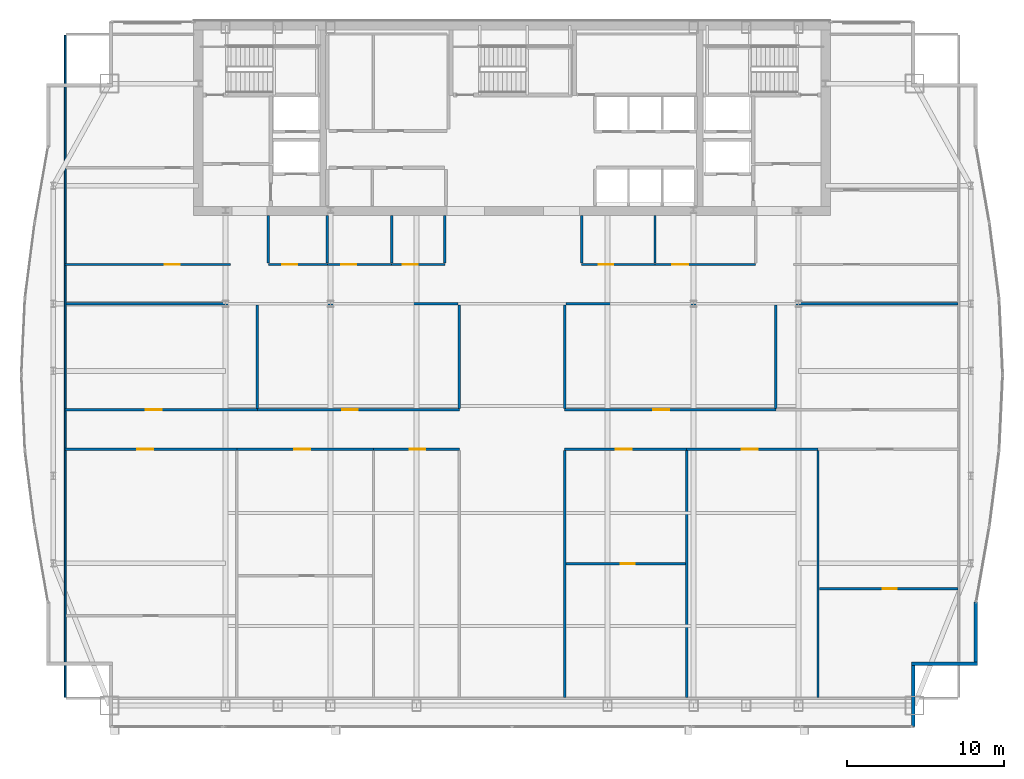
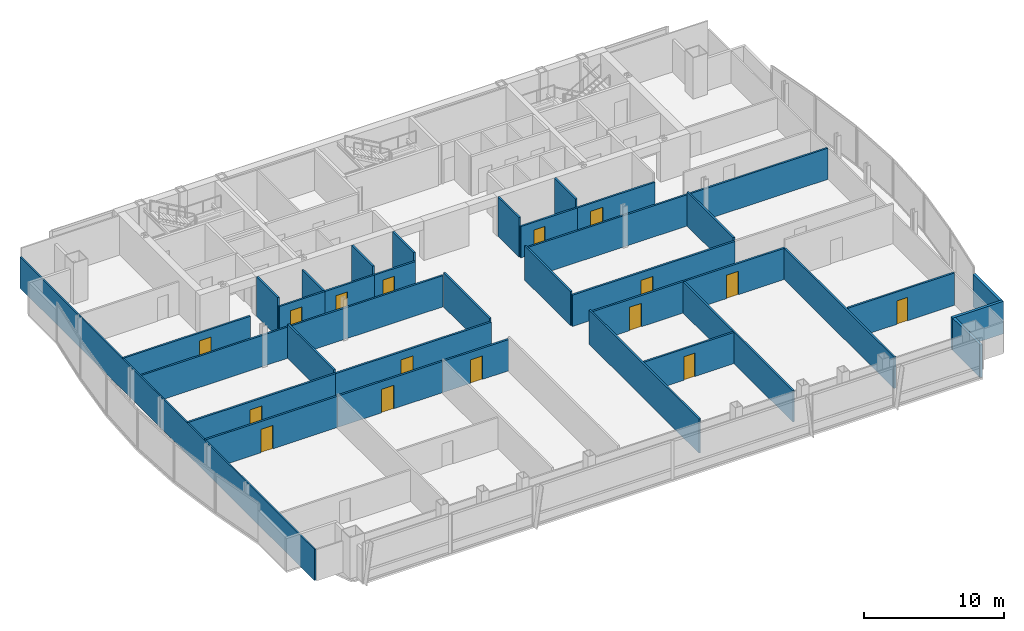
# One storey, part 25 of 30: 35 walls, 16 doors, 16 openings.
"""IFC4 building model written with IfcOpenShell, lengths in metres."""

from ifc_helpers import new_model, si_unit, direction, frame, frame_2d, origin, place, context, subcontext, project, spatial, rectangle, extrude, material, layer, layer_set, type_object, element, fill, save


model = new_model("IFC4")

# Units and contexts
model_context = context("Model", 3, precision=1e-05, world=origin(), true_north=direction((0.0, 1.0)))
body_context = subcontext(model_context, "Body", "Model", "MODEL_VIEW")
ifc_project = project(units=[si_unit("LENGTHUNIT", "METRE"), si_unit("AREAUNIT", "SQUARE_METRE"), si_unit("VOLUMEUNIT", "CUBIC_METRE"), si_unit("PLANEANGLEUNIT", "RADIAN"), si_unit("MASSUNIT", "GRAM", prefix="KILO")], contexts=[model_context])

# Site, building, storey
site_placement = place(None, origin())
site = spatial("IfcSite", under=ifc_project, at=site_placement, CompositionType="ELEMENT")
building_placement = place(site_placement, origin())
building = spatial("IfcBuilding", under=site, at=building_placement, Name="Khoronbel Lancet Exchange", CompositionType="ELEMENT")
storey_placement = place(building_placement, frame((0.0, 0.0, 203.0)))
storey = spatial("IfcBuildingStorey", under=building, at=storey_placement, Name="L51", CompositionType="ELEMENT", Elevation=203.0)

# Walls
ifc_material_1 = material(Name="Precast concrete C40/50", Category="concrete")
ifc_layer_1 = layer(ifc_material_1, 0.25, Name="Precast concrete C40/50")
ifc_layer_set_1 = layer_set([ifc_layer_1], Name="Precast concrete C40/50")
wall_type_1 = type_object("IfcWallType", Name="WL-EXT250", PredefinedType="SOLIDWALL", material=ifc_layer_set_1)
wall_1_placement = place(storey_placement, frame((65.9599609375, 16.727783203125, 0.0), z_axis=(0.0, 0.0, 1.0), x_axis=(0.0, -1.0, 0.0)))
element("IfcWall", 1, at=wall_1_placement, inside=storey, type_object=wall_type_1, Name="Level L51 notched-corner limestone pier 23", PredefinedType="SOLIDWALL", context=body_context, shape_type="SweptSolid", body=[
    extrude(rectangle(XDim=3.827880859375, YDim=0.219970703125, at=frame_2d((1.9140625, 0.0))), origin(), (0.0, 0.0, 1.0), 2.830078125),
])
wall_2_placement = place(storey_placement, frame((66.070068359375, 12.7900390625, 0.0), z_axis=(0.0, 0.0, 1.0), x_axis=(-1.0, 0.0, 0.0)))
element("IfcWall", 2, at=wall_2_placement, inside=storey, type_object=wall_type_1, Name="Level L51 notched-corner limestone pier 24", PredefinedType="SOLIDWALL", context=body_context, shape_type="SweptSolid", body=[
    extrude(rectangle(XDim=4.219970703125, YDim=0.219970703125, at=frame_2d((2.10986328125, 0.0))), origin(), (0.0, 0.0, 1.0), 2.830078125),
])
wall_3_placement = place(storey_placement, frame((61.9599609375, 12.679931640625, 0.0), z_axis=(0.0, 0.0, 1.0), x_axis=(0.0, -1.0, 0.0)))
element("IfcWall", 3, at=wall_3_placement, inside=storey, type_object=wall_type_1, Name="Level L51 notched-corner limestone pier 25", PredefinedType="SOLIDWALL", context=body_context, shape_type="SweptSolid", body=[
    extrude(rectangle(XDim=3.909912109375, YDim=0.219970703125, at=frame_2d((1.955078125, 0.0))), origin(), (0.0, 0.0, 1.0), 2.830078125),
])
ifc_material_2 = material(Name="Acoustic Metal-Stud & Mineral-Wool Gypsum Partition 120 mm", Category="gypsum")
ifc_layer_2 = layer(ifc_material_2, 0.1201171875, Name="Acoustic Metal-Stud & Mineral-Wool Gypsum Partition 120 mm")
ifc_layer_set_2 = layer_set([ifc_layer_2], Name="Acoustic Metal-Stud & Mineral-Wool Gypsum Partition 120 mm")
wall_type_2 = type_object("IfcWallType", Name="WL-PRT120", PredefinedType="PARTITIONING", material=ifc_layer_set_2)
wall_4_placement = place(storey_placement, frame((20.949951171875, 38.280029296875, 0.0), z_axis=(0.0, 0.0, 1.0), x_axis=(0.0, 1.0, 0.0)))
element("IfcWall", 4, at=wall_4_placement, inside=storey, type_object=wall_type_2, Name="Level L51 interior partition PW-WC-0", PredefinedType="PARTITIONING", context=body_context, shape_type="SweptSolid", body=[
    extrude(rectangle(XDim=3.02001953125, YDim=0.14990234375, at=frame_2d((1.510009765625, 0.0))), origin(), (0.0, 0.0, 1.0), 3.43994140625),
])
wall_5_placement = place(storey_placement, frame((24.699951171875, 38.280029296875, 0.0), z_axis=(0.0, 0.0, 1.0), x_axis=(0.0, 1.0, 0.0)))
element("IfcWall", 5, at=wall_5_placement, inside=storey, type_object=wall_type_2, Name="Level L51 interior partition PW-WC-1", PredefinedType="PARTITIONING", context=body_context, shape_type="SweptSolid", body=[
    extrude(rectangle(XDim=3.02001953125, YDim=0.14990234375, at=frame_2d((1.510009765625, 0.0))), origin(), (0.0, 0.0, 1.0), 2.72998046875),
])
for number, where, z_axis, x_axis, name in (
    (6, (28.800048828125, 38.280029296875, 0.0), (0.0, 0.0, 1.0), (0.0, 1.0, 0.0), "Level L51 interior partition PW-WC-2"),
    (7, (32.179931640625, 38.280029296875, 0.0), (0.0, 0.0, 1.0), (0.0, 1.0, 0.0), "Level L51 interior partition PW-WC-3"),
    (8, (40.8798828125, 38.280029296875, 0.0), (0.0, 0.0, 1.0), (0.0, 1.0, 0.0), "Level L51 interior partition PW-NP-0"),
    (9, (45.550048828125, 38.280029296875, 0.0), (0.0, 0.0, 1.0), (0.0, 1.0, 0.0), "Level L51 interior partition PW-NP-M"),
):
    element("IfcWall", number, at=place(storey_placement, frame(where, z_axis=z_axis, x_axis=x_axis)), inside=storey, type_object=wall_type_2, Name=name, PredefinedType="PARTITIONING", context=body_context, shape_type="SweptSolid", body=[
        extrude(rectangle(XDim=3.02001953125, YDim=0.14990234375, at=frame_2d((1.510009765625, 0.0))), origin(), (0.0, 0.0, 1.0), 3.43994140625),
    ])

# Wall, opening, door
wall_6_placement = place(storey_placement, frame((39.8798828125, 19.158935546875, 0.0), z_axis=(0.0, 0.0, 1.0), x_axis=(1.0, 0.0, 0.0)))
wall_6 = element("IfcWall", 10, at=wall_6_placement, inside=storey, type_object=wall_type_2, Name="Level L51 interior partition PW-Z3SE-H1", PredefinedType="PARTITIONING", context=body_context, shape_type="SweptSolid", body=[
    extrude(rectangle(XDim=7.599853515625, YDim=0.14990234375, at=frame_2d((3.7998046875, 0.0))), origin(), (0.0, 0.0, 1.0), 2.72998046875),
])
opening_1_placement = place(wall_6_placement, frame((3.491943359375, 0.0, 0.0)))
opening_1 = element("IfcOpeningElement", 11, at=opening_1_placement, cuts=wall_6, Name="Opening D5", PredefinedType="OPENING", context=body_context, shape_type="SweptSolid", body=[
    extrude(rectangle(XDim=0.89990234375, YDim=2.050048828125, at=frame_2d((0.449951171875, 1.02490234375))), frame((0.0, 0.0849609375, 0.0), z_axis=(0.0, -1.0, 0.0), x_axis=(1.0, 0.0, 0.0)), (0.0, 0.0, 1.0), 0.169921875),
])
ifc_material_3 = material(Name="Acoustic Timber Pantry & Support Door", Category="wood")
door_type_1 = type_object("IfcDoorType", Name="DR-D5", OperationType="NOTDEFINED", PredefinedType="DOOR", material=ifc_material_3)
door_1_placement = place(opening_1_placement, origin())
door_1 = element("IfcDoor", 12, at=door_1_placement, inside=storey, type_object=door_type_1, Name="Z3SE inner door 1 L51-1", OperationType="SINGLE_SWING_LEFT", OverallHeight=2.050048828125, OverallWidth=0.89990234375, PredefinedType="DOOR", context=body_context, shape_type="SweptSolid", body=[
    extrude(rectangle(XDim=0.89990234375, YDim=2.050048828125, at=frame_2d((0.449951171875, 1.02490234375))), frame((0.0, 0.02490234375, 0.0), z_axis=(0.0, -1.0, 0.0), x_axis=(1.0, 0.0, 0.0)), (0.0, 0.0, 1.0), 0.050048828125),
])
fill(opening_1, door_1)

wall_7_placement = place(storey_placement, frame((55.996337890625, 17.573974609375, 0.0), z_axis=(0.0, 0.0, 1.0), x_axis=(1.0, 0.0, 0.0)))
wall_7 = element("IfcWall", 13, at=wall_7_placement, inside=storey, type_object=wall_type_2, Name="Level L51 interior partition PW-Z3SE-H3", PredefinedType="PARTITIONING", context=body_context, shape_type="SweptSolid", body=[
    extrude(rectangle(XDim=8.80859375, YDim=0.14990234375, at=frame_2d((4.404296875, 0.0))), origin(), (0.0, 0.0, 1.0), 2.830078125),
])
opening_2_placement = place(wall_7_placement, frame((4.029052734375, 0.0, 0.0)))
opening_2 = element("IfcOpeningElement", 14, at=opening_2_placement, cuts=wall_7, Name="Opening D5", PredefinedType="OPENING", context=body_context, shape_type="SweptSolid", body=[
    extrude(rectangle(XDim=0.89990234375, YDim=2.050048828125, at=frame_2d((0.449951171875, 1.02490234375))), frame((0.0, 0.0849609375, 0.0), z_axis=(0.0, -1.0, 0.0), x_axis=(1.0, 0.0, 0.0)), (0.0, 0.0, 1.0), 0.169921875),
])
door_2_placement = place(opening_2_placement, origin())
door_2 = element("IfcDoor", 15, at=door_2_placement, inside=storey, type_object=door_type_1, Name="Z3SE inner door 3 L51-1", OperationType="SINGLE_SWING_RIGHT", OverallHeight=2.050048828125, OverallWidth=0.89990234375, PredefinedType="DOOR", context=body_context, shape_type="SweptSolid", body=[
    extrude(rectangle(XDim=0.89990234375, YDim=2.050048828125, at=frame_2d((0.449951171875, 1.02490234375))), frame((0.0, 0.02490234375, 0.0), z_axis=(0.0, -1.0, 0.0), x_axis=(1.0, 0.0, 0.0)), (0.0, 0.0, 1.0), 0.050048828125),
])
fill(opening_2, door_2)

# Wall
wall_8_placement = place(storey_placement, frame((8.030029296875, 10.6650390625, 0.0), z_axis=(0.0, 0.0, 1.0), x_axis=(0.0, 1.0, 0.0)))
element("IfcWall", 16, at=wall_8_placement, inside=storey, type_object=wall_type_2, Name="Level L51 interior partition PW-LIN-W", PredefinedType="PARTITIONING", context=body_context, shape_type="SweptSolid", body=[
    extrude(rectangle(XDim=42.10986328125, YDim=0.1201171875, at=frame_2d((21.054931640625, 0.0))), origin(), (0.0, 0.0, 1.0), 2.72998046875),
])

# Wall, opening, door
ifc_material_4 = material(Name="Fire-Rated Twin-Stud Acoustic Gypsum Partition 150 mm", Category="gypsum")
ifc_layer_3 = layer(ifc_material_4, 0.14990234375, Name="Fire-Rated Twin-Stud Acoustic Gypsum Partition 150 mm")
ifc_layer_set_3 = layer_set([ifc_layer_3], Name="Fire-Rated Twin-Stud Acoustic Gypsum Partition 150 mm")
wall_type_3 = type_object("IfcWallType", Name="WL-PRT150C", PredefinedType="PARTITIONING", material=ifc_layer_set_3)
wall_9_placement = place(storey_placement, frame((20.949951171875, 38.199951171875, 0.0), z_axis=(0.0, 0.0, 1.0), x_axis=(1.0, 0.0, 0.0)))
wall_9 = element("IfcWall", 17, at=wall_9_placement, inside=storey, type_object=wall_type_3, Name="Level L51 interior partition PW-WC-S1", PredefinedType="PARTITIONING", context=body_context, shape_type="SweptSolid", body=[
    extrude(rectangle(XDim=3.75, YDim=0.14990234375, at=frame_2d((1.875, 0.0))), origin(), (0.0, 0.0, 1.0), 2.72998046875),
])
opening_3_placement = place(wall_9_placement, frame((0.89990234375, 0.0, 0.0)))
opening_3 = element("IfcOpeningElement", 18, at=opening_3_placement, cuts=wall_9, Name="Opening D4", PredefinedType="OPENING", context=body_context, shape_type="SweptSolid", body=[
    extrude(rectangle(XDim=0.949951171875, YDim=2.050048828125, at=frame_2d((0.47509765625, 1.02490234375))), frame((0.0, 0.0849609375, 0.0), z_axis=(0.0, -1.0, 0.0), x_axis=(1.0, 0.0, 0.0)), (0.0, 0.0, 1.0), 0.169921875),
])
ifc_material_5 = material(Name="Moisture-Resistant HPL Washroom Door", Category="wood")
door_type_2 = type_object("IfcDoorType", Name="DR-D4", OperationType="NOTDEFINED", PredefinedType="DOOR", material=ifc_material_5)
door_3_placement = place(opening_3_placement, origin())
door_3 = element("IfcDoor", 19, at=door_3_placement, inside=storey, type_object=door_type_2, Name="Male washroom door L51-1", OperationType="SINGLE_SWING_RIGHT", OverallHeight=2.050048828125, OverallWidth=0.949951171875, PredefinedType="DOOR", context=body_context, shape_type="SweptSolid", body=[
    extrude(rectangle(XDim=0.949951171875, YDim=2.050048828125, at=frame_2d((0.47509765625, 1.02490234375))), frame((0.0, 0.02490234375, 0.0), z_axis=(0.0, -1.0, 0.0), x_axis=(1.0, 0.0, 0.0)), (0.0, 0.0, 1.0), 0.050048828125),
])
fill(opening_3, door_3)

wall_10_placement = place(storey_placement, frame((24.699951171875, 38.199951171875, 0.0), z_axis=(0.0, 0.0, 1.0), x_axis=(1.0, 0.0, 0.0)))
wall_10 = element("IfcWall", 20, at=wall_10_placement, inside=storey, type_object=wall_type_3, Name="Level L51 interior partition PW-WC-S2", PredefinedType="PARTITIONING", context=body_context, shape_type="SweptSolid", body=[
    extrude(rectangle(XDim=4.10009765625, YDim=0.14990234375, at=frame_2d((2.050048828125, 0.0))), origin(), (0.0, 0.0, 1.0), 2.72998046875),
])
opening_4_placement = place(wall_10_placement, frame((0.89990234375, 0.0, 0.0)))
opening_4 = element("IfcOpeningElement", 21, at=opening_4_placement, cuts=wall_10, Name="Opening D4", PredefinedType="OPENING", context=body_context, shape_type="SweptSolid", body=[
    extrude(rectangle(XDim=0.949951171875, YDim=2.050048828125, at=frame_2d((0.47509765625, 1.02490234375))), frame((0.0, 0.0849609375, 0.0), z_axis=(0.0, -1.0, 0.0), x_axis=(1.0, 0.0, 0.0)), (0.0, 0.0, 1.0), 0.169921875),
])
door_4_placement = place(opening_4_placement, origin())
door_4 = element("IfcDoor", 22, at=door_4_placement, inside=storey, type_object=door_type_2, Name="Female washroom door L51-1", OperationType="SINGLE_SWING_LEFT", OverallHeight=2.050048828125, OverallWidth=0.949951171875, PredefinedType="DOOR", context=body_context, shape_type="SweptSolid", body=[
    extrude(rectangle(XDim=0.949951171875, YDim=2.050048828125, at=frame_2d((0.47509765625, 1.02490234375))), frame((0.0, 0.02490234375, 0.0), z_axis=(0.0, -1.0, 0.0), x_axis=(1.0, 0.0, 0.0)), (0.0, 0.0, 1.0), 0.050048828125),
])
fill(opening_4, door_4)

wall_11_placement = place(storey_placement, frame((28.800048828125, 38.199951171875, 0.0), z_axis=(0.0, 0.0, 1.0), x_axis=(1.0, 0.0, 0.0)))
wall_11 = element("IfcWall", 23, at=wall_11_placement, inside=storey, type_object=wall_type_3, Name="Level L51 interior partition PW-WC-S3", PredefinedType="PARTITIONING", context=body_context, shape_type="SweptSolid", body=[
    extrude(rectangle(XDim=3.3798828125, YDim=0.14990234375, at=frame_2d((1.68994140625, 0.0))), origin(), (0.0, 0.0, 1.0), 2.72998046875),
])
opening_5_placement = place(wall_11_placement, frame((0.699951171875, 0.0, 0.0)))
opening_5 = element("IfcOpeningElement", 24, at=opening_5_placement, cuts=wall_11, Name="Opening D4", PredefinedType="OPENING", context=body_context, shape_type="SweptSolid", body=[
    extrude(rectangle(XDim=0.949951171875, YDim=2.050048828125, at=frame_2d((0.47509765625, 1.02490234375))), frame((0.0, 0.0849609375, 0.0), z_axis=(0.0, -1.0, 0.0), x_axis=(1.0, 0.0, 0.0)), (0.0, 0.0, 1.0), 0.169921875),
])
door_5_placement = place(opening_5_placement, origin())
door_5 = element("IfcDoor", 25, at=door_5_placement, inside=storey, type_object=door_type_2, Name="Accessible WC door L51-1", OperationType="SINGLE_SWING_RIGHT", OverallHeight=2.050048828125, OverallWidth=0.949951171875, PredefinedType="DOOR", context=body_context, shape_type="SweptSolid", body=[
    extrude(rectangle(XDim=0.949951171875, YDim=2.050048828125, at=frame_2d((0.47509765625, 1.02490234375))), frame((0.0, 0.02490234375, 0.0), z_axis=(0.0, -1.0, 0.0), x_axis=(1.0, 0.0, 0.0)), (0.0, 0.0, 1.0), 0.050048828125),
])
fill(opening_5, door_5)

wall_12_placement = place(storey_placement, frame((40.8798828125, 38.199951171875, 0.0), z_axis=(0.0, 0.0, 1.0), x_axis=(1.0, 0.0, 0.0)))
wall_12 = element("IfcWall", 26, at=wall_12_placement, inside=storey, type_object=wall_type_3, Name="Level L51 interior partition PW-NP-S1", PredefinedType="PARTITIONING", context=body_context, shape_type="SweptSolid", body=[
    extrude(rectangle(XDim=4.670166015625, YDim=0.14990234375, at=frame_2d((2.3349609375, 0.0))), origin(), (0.0, 0.0, 1.0), 2.72998046875),
])
opening_6_placement = place(wall_12_placement, frame((1.10009765625, 0.0, 0.0)))
opening_6 = element("IfcOpeningElement", 27, at=opening_6_placement, cuts=wall_12, Name="Opening D5", PredefinedType="OPENING", context=body_context, shape_type="SweptSolid", body=[
    extrude(rectangle(XDim=0.89990234375, YDim=2.050048828125, at=frame_2d((0.449951171875, 1.02490234375))), frame((0.0, 0.0849609375, 0.0), z_axis=(0.0, -1.0, 0.0), x_axis=(1.0, 0.0, 0.0)), (0.0, 0.0, 1.0), 0.169921875),
])
door_6_placement = place(opening_6_placement, origin())
door_6 = element("IfcDoor", 28, at=door_6_placement, inside=storey, type_object=door_type_1, Name="Floor refreshment pantry door L51-1", OperationType="SINGLE_SWING_LEFT", OverallHeight=2.050048828125, OverallWidth=0.89990234375, PredefinedType="DOOR", context=body_context, shape_type="SweptSolid", body=[
    extrude(rectangle(XDim=0.89990234375, YDim=2.050048828125, at=frame_2d((0.449951171875, 1.02490234375))), frame((0.0, 0.02490234375, 0.0), z_axis=(0.0, -1.0, 0.0), x_axis=(1.0, 0.0, 0.0)), (0.0, 0.0, 1.0), 0.050048828125),
])
fill(opening_6, door_6)

wall_13_placement = place(storey_placement, frame((45.550048828125, 38.199951171875, 0.0), z_axis=(0.0, 0.0, 1.0), x_axis=(1.0, 0.0, 0.0)))
wall_13 = element("IfcWall", 29, at=wall_13_placement, inside=storey, type_object=wall_type_3, Name="Level L51 interior partition PW-NP-S2", PredefinedType="PARTITIONING", context=body_context, shape_type="SweptSolid", body=[
    extrude(rectangle(XDim=6.39990234375, YDim=0.14990234375, at=frame_2d((3.199951171875, 0.0))), origin(), (0.0, 0.0, 1.0), 2.72998046875),
])
opening_7_placement = place(wall_13_placement, frame((1.10009765625, 0.0, 0.0)))
opening_7 = element("IfcOpeningElement", 30, at=opening_7_placement, cuts=wall_13, Name="Opening D2", PredefinedType="OPENING", context=body_context, shape_type="SweptSolid", body=[
    extrude(rectangle(XDim=1.0, YDim=2.050048828125, at=frame_2d((0.5, 1.02490234375))), frame((0.0, 0.0849609375, 0.0), z_axis=(0.0, -1.0, 0.0), x_axis=(1.0, 0.0, 0.0)), (0.0, 0.0, 1.0), 0.169921875),
])
ifc_material_6 = material(Name="Acoustic Veneered Timber & Bronze Frame Door", Category="wood")
door_type_3 = type_object("IfcDoorType", Name="DR-D2", OperationType="NOTDEFINED", PredefinedType="DOOR", material=ifc_material_6)
door_7_placement = place(opening_7_placement, origin())
door_7 = element("IfcDoor", 31, at=door_7_placement, inside=storey, type_object=door_type_3, Name="Floor store door L51-1", OperationType="SINGLE_SWING_RIGHT", OverallHeight=2.050048828125, OverallWidth=1.0, PredefinedType="DOOR", context=body_context, shape_type="SweptSolid", body=[
    extrude(rectangle(XDim=1.0, YDim=2.050048828125, at=frame_2d((0.5, 1.02490234375))), frame((0.0, 0.02490234375, 0.0), z_axis=(0.0, -1.0, 0.0), x_axis=(1.0, 0.0, 0.0)), (0.0, 0.0, 1.0), 0.050048828125),
])
fill(opening_7, door_7)

wall_14_placement = place(storey_placement, frame((8.030029296875, 38.199951171875, 0.0), z_axis=(0.0, 0.0, 1.0), x_axis=(1.0, 0.0, 0.0)))
wall_14 = element("IfcWall", 32, at=wall_14_placement, inside=storey, type_object=wall_type_3, Name="Level L51 interior partition PW-NW-S", PredefinedType="PARTITIONING", context=body_context, shape_type="SweptSolid", body=[
    extrude(rectangle(XDim=10.52001953125, YDim=0.14990234375, at=frame_2d((5.260009765625, 0.0))), origin(), (0.0, 0.0, 1.0), 2.72998046875),
])
opening_8_placement = place(wall_14_placement, frame((6.320068359375, 0.0, 0.0)))
opening_8 = element("IfcOpeningElement", 33, at=opening_8_placement, cuts=wall_14, Name="Opening D1", PredefinedType="OPENING", context=body_context, shape_type="SweptSolid", body=[
    extrude(rectangle(XDim=0.949951171875, YDim=2.050048828125, at=frame_2d((0.47509765625, 1.02490234375))), frame((0.0, 0.0849609375, 0.0), z_axis=(0.0, -1.0, 0.0), x_axis=(1.0, 0.0, 0.0)), (0.0, 0.0, 1.0), 0.169921875),
])
door_type_4 = type_object("IfcDoorType", Name="DR-D1", OperationType="NOTDEFINED", PredefinedType="DOOR", material=ifc_material_6)
door_8_placement = place(opening_8_placement, origin())
door_8 = element("IfcDoor", 34, at=door_8_placement, inside=storey, type_object=door_type_4, Name="NW corner room door L51-1", OperationType="SINGLE_SWING_LEFT", OverallHeight=2.050048828125, OverallWidth=0.949951171875, PredefinedType="DOOR", context=body_context, shape_type="SweptSolid", body=[
    extrude(rectangle(XDim=0.949951171875, YDim=2.050048828125, at=frame_2d((0.47509765625, 1.02490234375))), frame((0.0, 0.02490234375, 0.0), z_axis=(0.0, -1.0, 0.0), x_axis=(1.0, 0.0, 0.0)), (0.0, 0.0, 1.0), 0.050048828125),
])
fill(opening_8, door_8)

# Walls
wall_15_placement = place(storey_placement, frame((39.800048828125, 10.6650390625, 0.0), z_axis=(0.0, 0.0, 1.0), x_axis=(0.0, 1.0, 0.0)))
element("IfcWall", 35, at=wall_15_placement, inside=storey, type_object=wall_type_3, Name="Level L51 interior partition PW-Z3-CE1", PredefinedType="PARTITIONING", context=body_context, shape_type="SweptSolid", body=[
    extrude(rectangle(XDim=15.699951171875, YDim=0.14990234375, at=frame_2d((7.85009765625, 0.0))), origin(), (0.0, 0.0, 1.0), 2.97998046875),
])
for number, where, z_axis, x_axis, name in (
    (36, (33.10009765625, 29.034912109375, 0.0), (0.0, 0.0, 1.0), (0.0, 1.0, 0.0), "Level L51 interior partition PW-Z3-CW2"),
    (37, (39.800048828125, 29.034912109375, 0.0), (0.0, 0.0, 1.0), (0.0, 1.0, 0.0), "Level L51 interior partition PW-Z3-CE2"),
):
    element("IfcWall", number, at=place(storey_placement, frame(where, z_axis=z_axis, x_axis=x_axis)), inside=storey, type_object=wall_type_3, Name=name, PredefinedType="PARTITIONING", context=body_context, shape_type="SweptSolid", body=[
        extrude(rectangle(XDim=6.585205078125, YDim=0.14990234375, at=frame_2d((3.29248046875, 0.0))), origin(), (0.0, 0.0, 1.0), 2.97998046875),
    ])
for number, where, z_axis, x_axis, name in (
    (38, (8.094970703125, 35.699951171875, 0.0), (0.0, 0.0, 1.0), (1.0, 0.0, 0.0), "Level L51 interior partition PW-Z3-WN"),
    (39, (39.8798828125, 35.699951171875, 0.0), (0.0, 0.0, 1.0), (1.0, 0.0, 0.0), "Level L51 interior partition PW-Z3-EN"),
):
    element("IfcWall", number, at=place(storey_placement, frame(where, z_axis=z_axis, x_axis=x_axis)), inside=storey, type_object=wall_type_3, Name=name, PredefinedType="PARTITIONING", context=body_context, shape_type="SweptSolid", body=[
        extrude(rectangle(XDim=24.925048828125, YDim=0.14990234375, at=frame_2d((12.46240234375, 0.0))), origin(), (0.0, 0.0, 1.0), 2.72998046875),
    ])
for number, where, z_axis, x_axis, name in (
    (40, (47.559814453125, 10.6650390625, 0.0), (0.0, 0.0, 1.0), (0.0, 1.0, 0.0), "Level L51 interior partition PW-Z3SE-V1"),
    (41, (55.91650390625, 10.6650390625, 0.0), (0.0, 0.0, 1.0), (0.0, 1.0, 0.0), "Level L51 interior partition PW-Z3SE-V2"),
):
    element("IfcWall", number, at=place(storey_placement, frame(where, z_axis=z_axis, x_axis=x_axis)), inside=storey, type_object=wall_type_3, Name=name, PredefinedType="PARTITIONING", context=body_context, shape_type="SweptSolid", body=[
        extrude(rectangle(XDim=15.699951171875, YDim=0.14990234375, at=frame_2d((7.85009765625, 0.0))), origin(), (0.0, 0.0, 1.0), 2.72998046875),
    ])
for number, where, z_axis, x_axis, name in (
    (42, (20.2470703125, 29.034912109375, 0.0), (0.0, 0.0, 1.0), (0.0, 1.0, 0.0), "Level L51 interior partition PW-Z3NW-V1"),
    (43, (53.23046875, 29.034912109375, 0.0), (0.0, 0.0, 1.0), (0.0, 1.0, 0.0), "Level L51 interior partition PW-Z3NE-V1"),
):
    element("IfcWall", number, at=place(storey_placement, frame(where, z_axis=z_axis, x_axis=x_axis)), inside=storey, type_object=wall_type_3, Name=name, PredefinedType="PARTITIONING", context=body_context, shape_type="SweptSolid", body=[
        extrude(rectangle(XDim=6.585205078125, YDim=0.14990234375, at=frame_2d((3.29248046875, 0.0))), origin(), (0.0, 0.0, 1.0), 2.97998046875),
    ])

# Wall, opening, door
ifc_material_7 = material(Name="Fire-Rated Twin-Stud Acoustic Gypsum Partition 160 mm", Category="gypsum")
ifc_layer_4 = layer(ifc_material_7, 0.159912109375, Name="Fire-Rated Twin-Stud Acoustic Gypsum Partition 160 mm")
ifc_layer_set_4 = layer_set([ifc_layer_4], Name="Fire-Rated Twin-Stud Acoustic Gypsum Partition 160 mm")
wall_type_4 = type_object("IfcWallType", Name="WL-PRT160C", PredefinedType="PARTITIONING", material=ifc_layer_set_4)
wall_16_placement = place(storey_placement, frame((8.030029296875, 26.449951171875, 0.0), z_axis=(0.0, 0.0, 1.0), x_axis=(1.0, 0.0, 0.0)))
wall_16 = element("IfcWall", 44, at=wall_16_placement, inside=storey, type_object=wall_type_4, Name="Level L51 interior partition PW-Z3SW-COR1", PredefinedType="PARTITIONING", context=body_context, shape_type="SweptSolid", body=[
    extrude(rectangle(XDim=10.922119140625, YDim=0.159912109375, at=frame_2d((5.4609375, 0.0))), origin(), (0.0, 0.0, 1.0), 2.72998046875),
])
opening_9_placement = place(wall_16_placement, frame((4.58740234375, 0.0, 0.0)))
opening_9 = element("IfcOpeningElement", 45, at=opening_9_placement, cuts=wall_16, Name="Opening D2", PredefinedType="OPENING", context=body_context, shape_type="SweptSolid", body=[
    extrude(rectangle(XDim=1.0, YDim=2.050048828125, at=frame_2d((0.5, 1.02490234375))), frame((0.0, 0.08984375, 0.0), z_axis=(0.0, -1.0, 0.0), x_axis=(1.0, 0.0, 0.0)), (0.0, 0.0, 1.0), 0.179931640625),
])
door_9_placement = place(opening_9_placement, origin())
door_9 = element("IfcDoor", 46, at=door_9_placement, inside=storey, type_object=door_type_3, Name="Z3SW bay 1 door L51-1", OperationType="SINGLE_SWING_LEFT", OverallHeight=2.050048828125, OverallWidth=1.0, PredefinedType="DOOR", context=body_context, shape_type="SweptSolid", body=[
    extrude(rectangle(XDim=1.0, YDim=2.050048828125, at=frame_2d((0.5, 1.02490234375))), frame((0.0, 0.02490234375, 0.0), z_axis=(0.0, -1.0, 0.0), x_axis=(1.0, 0.0, 0.0)), (0.0, 0.0, 1.0), 0.050048828125),
])
fill(opening_9, door_9)

wall_17_placement = place(storey_placement, frame((18.9521484375, 26.449951171875, 0.0), z_axis=(0.0, 0.0, 1.0), x_axis=(1.0, 0.0, 0.0)))
wall_17 = element("IfcWall", 47, at=wall_17_placement, inside=storey, type_object=wall_type_4, Name="Level L51 interior partition PW-Z3SW-COR2", PredefinedType="PARTITIONING", context=body_context, shape_type="SweptSolid", body=[
    extrude(rectangle(XDim=8.686767578125, YDim=0.159912109375, at=frame_2d((4.34326171875, 0.0))), origin(), (0.0, 0.0, 1.0), 2.72998046875),
])
opening_10_placement = place(wall_17_placement, frame((3.6484375, 0.0, 0.0)))
opening_10 = element("IfcOpeningElement", 48, at=opening_10_placement, cuts=wall_17, Name="Opening D2", PredefinedType="OPENING", context=body_context, shape_type="SweptSolid", body=[
    extrude(rectangle(XDim=1.0, YDim=2.050048828125, at=frame_2d((0.5, 1.02490234375))), frame((0.0, 0.08984375, 0.0), z_axis=(0.0, -1.0, 0.0), x_axis=(1.0, 0.0, 0.0)), (0.0, 0.0, 1.0), 0.179931640625),
])
door_10_placement = place(opening_10_placement, origin())
door_10 = element("IfcDoor", 49, at=door_10_placement, inside=storey, type_object=door_type_3, Name="Z3SW bay 2 door L51-1", OperationType="SINGLE_SWING_LEFT", OverallHeight=2.050048828125, OverallWidth=1.0, PredefinedType="DOOR", context=body_context, shape_type="SweptSolid", body=[
    extrude(rectangle(XDim=1.0, YDim=2.050048828125, at=frame_2d((0.5, 1.02490234375))), frame((0.0, 0.02490234375, 0.0), z_axis=(0.0, -1.0, 0.0), x_axis=(1.0, 0.0, 0.0)), (0.0, 0.0, 1.0), 0.050048828125),
])
fill(opening_10, door_10)

wall_18_placement = place(storey_placement, frame((27.638916015625, 26.449951171875, 0.0), z_axis=(0.0, 0.0, 1.0), x_axis=(1.0, 0.0, 0.0)))
wall_18 = element("IfcWall", 50, at=wall_18_placement, inside=storey, type_object=wall_type_4, Name="Level L51 interior partition PW-Z3SW-COR3", PredefinedType="PARTITIONING", context=body_context, shape_type="SweptSolid", body=[
    extrude(rectangle(XDim=5.461181640625, YDim=0.159912109375, at=frame_2d((2.73046875, 0.0))), origin(), (0.0, 0.0, 1.0), 2.72998046875),
])
opening_11_placement = place(wall_18_placement, frame((2.293701171875, 0.0, 0.0)))
opening_11 = element("IfcOpeningElement", 51, at=opening_11_placement, cuts=wall_18, Name="Opening D2", PredefinedType="OPENING", context=body_context, shape_type="SweptSolid", body=[
    extrude(rectangle(XDim=1.0, YDim=2.050048828125, at=frame_2d((0.5, 1.02490234375))), frame((0.0, 0.08984375, 0.0), z_axis=(0.0, -1.0, 0.0), x_axis=(1.0, 0.0, 0.0)), (0.0, 0.0, 1.0), 0.179931640625),
])
door_11_placement = place(opening_11_placement, origin())
door_11 = element("IfcDoor", 52, at=door_11_placement, inside=storey, type_object=door_type_3, Name="Z3SW bay 3 door L51-1", OperationType="SINGLE_SWING_LEFT", OverallHeight=2.050048828125, OverallWidth=1.0, PredefinedType="DOOR", context=body_context, shape_type="SweptSolid", body=[
    extrude(rectangle(XDim=1.0, YDim=2.050048828125, at=frame_2d((0.5, 1.02490234375))), frame((0.0, 0.02490234375, 0.0), z_axis=(0.0, -1.0, 0.0), x_axis=(1.0, 0.0, 0.0)), (0.0, 0.0, 1.0), 0.050048828125),
])
fill(opening_11, door_11)

wall_19_placement = place(storey_placement, frame((39.800048828125, 26.449951171875, 0.0), z_axis=(0.0, 0.0, 1.0), x_axis=(1.0, 0.0, 0.0)))
wall_19 = element("IfcWall", 53, at=wall_19_placement, inside=storey, type_object=wall_type_4, Name="Level L51 interior partition PW-Z3SE-COR1", PredefinedType="PARTITIONING", context=body_context, shape_type="SweptSolid", body=[
    extrude(rectangle(XDim=7.759765625, YDim=0.159912109375, at=frame_2d((3.8798828125, 0.0))), origin(), (0.0, 0.0, 1.0), 2.72998046875),
])
opening_12_placement = place(wall_19_placement, frame((3.259033203125, 0.0, 0.0)))
opening_12 = element("IfcOpeningElement", 54, at=opening_12_placement, cuts=wall_19, Name="Opening D2", PredefinedType="OPENING", context=body_context, shape_type="SweptSolid", body=[
    extrude(rectangle(XDim=1.0, YDim=2.050048828125, at=frame_2d((0.5, 1.02490234375))), frame((0.0, 0.08984375, 0.0), z_axis=(0.0, -1.0, 0.0), x_axis=(1.0, 0.0, 0.0)), (0.0, 0.0, 1.0), 0.179931640625),
])
door_12_placement = place(opening_12_placement, origin())
door_12 = element("IfcDoor", 55, at=door_12_placement, inside=storey, type_object=door_type_3, Name="Z3SE bay 1 door L51-1", OperationType="SINGLE_SWING_RIGHT", OverallHeight=2.050048828125, OverallWidth=1.0, PredefinedType="DOOR", context=body_context, shape_type="SweptSolid", body=[
    extrude(rectangle(XDim=1.0, YDim=2.050048828125, at=frame_2d((0.5, 1.02490234375))), frame((0.0, 0.02490234375, 0.0), z_axis=(0.0, -1.0, 0.0), x_axis=(1.0, 0.0, 0.0)), (0.0, 0.0, 1.0), 0.050048828125),
])
fill(opening_12, door_12)

wall_20_placement = place(storey_placement, frame((47.559814453125, 26.449951171875, 0.0), z_axis=(0.0, 0.0, 1.0), x_axis=(1.0, 0.0, 0.0)))
wall_20 = element("IfcWall", 56, at=wall_20_placement, inside=storey, type_object=wall_type_4, Name="Level L51 interior partition PW-Z3SE-COR2", PredefinedType="PARTITIONING", context=body_context, shape_type="SweptSolid", body=[
    extrude(rectangle(XDim=8.356689453125, YDim=0.159912109375, at=frame_2d((4.17822265625, 0.0))), origin(), (0.0, 0.0, 1.0), 2.72998046875),
])
opening_13_placement = place(wall_20_placement, frame((3.509765625, 0.0, 0.0)))
opening_13 = element("IfcOpeningElement", 57, at=opening_13_placement, cuts=wall_20, Name="Opening D2", PredefinedType="OPENING", context=body_context, shape_type="SweptSolid", body=[
    extrude(rectangle(XDim=1.0, YDim=2.050048828125, at=frame_2d((0.5, 1.02490234375))), frame((0.0, 0.08984375, 0.0), z_axis=(0.0, -1.0, 0.0), x_axis=(1.0, 0.0, 0.0)), (0.0, 0.0, 1.0), 0.179931640625),
])
door_13_placement = place(opening_13_placement, origin())
door_13 = element("IfcDoor", 58, at=door_13_placement, inside=storey, type_object=door_type_3, Name="Z3SE bay 2 door L51-1", OperationType="SINGLE_SWING_RIGHT", OverallHeight=2.050048828125, OverallWidth=1.0, PredefinedType="DOOR", context=body_context, shape_type="SweptSolid", body=[
    extrude(rectangle(XDim=1.0, YDim=2.050048828125, at=frame_2d((0.5, 1.02490234375))), frame((0.0, 0.02490234375, 0.0), z_axis=(0.0, -1.0, 0.0), x_axis=(1.0, 0.0, 0.0)), (0.0, 0.0, 1.0), 0.050048828125),
])
fill(opening_13, door_13)

wall_21_placement = place(storey_placement, frame((8.030029296875, 28.949951171875, 0.0), z_axis=(0.0, 0.0, 1.0), x_axis=(1.0, 0.0, 0.0)))
wall_21 = element("IfcWall", 59, at=wall_21_placement, inside=storey, type_object=wall_type_4, Name="Level L51 interior partition PW-Z3NW-COR1", PredefinedType="PARTITIONING", context=body_context, shape_type="SweptSolid", body=[
    extrude(rectangle(XDim=12.217041015625, YDim=0.159912109375, at=frame_2d((6.1083984375, 0.0))), origin(), (0.0, 0.0, 1.0), 2.72998046875),
])
opening_14_placement = place(wall_21_placement, frame((5.131103515625, 0.0, 0.0)))
opening_14 = element("IfcOpeningElement", 60, at=opening_14_placement, cuts=wall_21, Name="Opening D2", PredefinedType="OPENING", context=body_context, shape_type="SweptSolid", body=[
    extrude(rectangle(XDim=1.0, YDim=2.050048828125, at=frame_2d((0.5, 1.02490234375))), frame((0.0, 0.08984375, 0.0), z_axis=(0.0, -1.0, 0.0), x_axis=(1.0, 0.0, 0.0)), (0.0, 0.0, 1.0), 0.179931640625),
])
door_14_placement = place(opening_14_placement, origin())
door_14 = element("IfcDoor", 61, at=door_14_placement, inside=storey, type_object=door_type_3, Name="Z3NW bay 1 door L51-1", OperationType="SINGLE_SWING_LEFT", OverallHeight=2.050048828125, OverallWidth=1.0, PredefinedType="DOOR", context=body_context, shape_type="SweptSolid", body=[
    extrude(rectangle(XDim=1.0, YDim=2.050048828125, at=frame_2d((0.5, 1.02490234375))), frame((0.0, 0.02490234375, 0.0), z_axis=(0.0, -1.0, 0.0), x_axis=(1.0, 0.0, 0.0)), (0.0, 0.0, 1.0), 0.050048828125),
])
fill(opening_14, door_14)

wall_22_placement = place(storey_placement, frame((20.2470703125, 28.949951171875, 0.0), z_axis=(0.0, 0.0, 1.0), x_axis=(1.0, 0.0, 0.0)))
wall_22 = element("IfcWall", 62, at=wall_22_placement, inside=storey, type_object=wall_type_4, Name="Level L51 interior partition PW-Z3NW-COR2", PredefinedType="PARTITIONING", context=body_context, shape_type="SweptSolid", body=[
    extrude(rectangle(XDim=12.85302734375, YDim=0.159912109375, at=frame_2d((6.426513671875, 0.0))), origin(), (0.0, 0.0, 1.0), 2.72998046875),
])
opening_15_placement = place(wall_22_placement, frame((5.398193359375, 0.0, 0.0)))
opening_15 = element("IfcOpeningElement", 63, at=opening_15_placement, cuts=wall_22, Name="Opening D2", PredefinedType="OPENING", context=body_context, shape_type="SweptSolid", body=[
    extrude(rectangle(XDim=1.0, YDim=2.050048828125, at=frame_2d((0.5, 1.02490234375))), frame((0.0, 0.08984375, 0.0), z_axis=(0.0, -1.0, 0.0), x_axis=(1.0, 0.0, 0.0)), (0.0, 0.0, 1.0), 0.179931640625),
])
door_15_placement = place(opening_15_placement, origin())
door_15 = element("IfcDoor", 64, at=door_15_placement, inside=storey, type_object=door_type_3, Name="Z3NW bay 2 door L51-1", OperationType="SINGLE_SWING_RIGHT", OverallHeight=2.050048828125, OverallWidth=1.0, PredefinedType="DOOR", context=body_context, shape_type="SweptSolid", body=[
    extrude(rectangle(XDim=1.0, YDim=2.050048828125, at=frame_2d((0.5, 1.02490234375))), frame((0.0, 0.02490234375, 0.0), z_axis=(0.0, -1.0, 0.0), x_axis=(1.0, 0.0, 0.0)), (0.0, 0.0, 1.0), 0.050048828125),
])
fill(opening_15, door_15)

wall_23_placement = place(storey_placement, frame((39.800048828125, 28.949951171875, 0.0), z_axis=(0.0, 0.0, 1.0), x_axis=(1.0, 0.0, 0.0)))
wall_23 = element("IfcWall", 65, at=wall_23_placement, inside=storey, type_object=wall_type_4, Name="Level L51 interior partition PW-Z3NE-COR1", PredefinedType="PARTITIONING", context=body_context, shape_type="SweptSolid", body=[
    extrude(rectangle(XDim=13.430419921875, YDim=0.159912109375, at=frame_2d((6.71533203125, 0.0))), origin(), (0.0, 0.0, 1.0), 2.72998046875),
])
opening_16_placement = place(wall_23_placement, frame((5.640869140625, 0.0, 0.0)))
opening_16 = element("IfcOpeningElement", 66, at=opening_16_placement, cuts=wall_23, Name="Opening D2", PredefinedType="OPENING", context=body_context, shape_type="SweptSolid", body=[
    extrude(rectangle(XDim=1.0, YDim=2.050048828125, at=frame_2d((0.5, 1.02490234375))), frame((0.0, 0.08984375, 0.0), z_axis=(0.0, -1.0, 0.0), x_axis=(1.0, 0.0, 0.0)), (0.0, 0.0, 1.0), 0.179931640625),
])
door_16_placement = place(opening_16_placement, origin())
door_16 = element("IfcDoor", 67, at=door_16_placement, inside=storey, type_object=door_type_3, Name="Z3NE bay 1 door L51-1", OperationType="SINGLE_SWING_LEFT", OverallHeight=2.050048828125, OverallWidth=1.0, PredefinedType="DOOR", context=body_context, shape_type="SweptSolid", body=[
    extrude(rectangle(XDim=1.0, YDim=2.050048828125, at=frame_2d((0.5, 1.02490234375))), frame((0.0, 0.02490234375, 0.0), z_axis=(0.0, -1.0, 0.0), x_axis=(1.0, 0.0, 0.0)), (0.0, 0.0, 1.0), 0.050048828125),
])
fill(opening_16, door_16)

save(model, "model.ifc")
